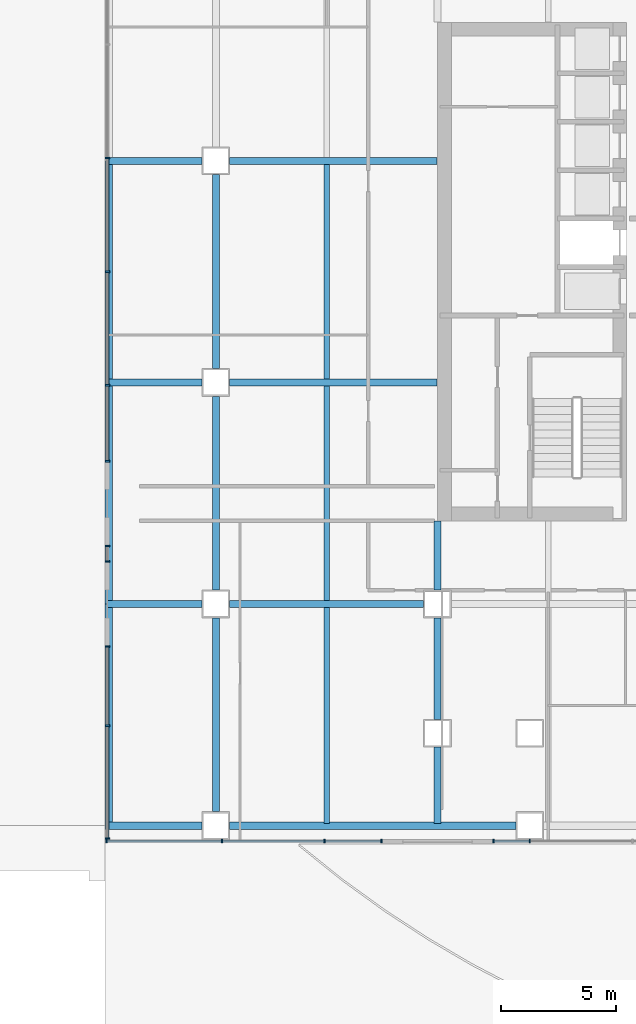
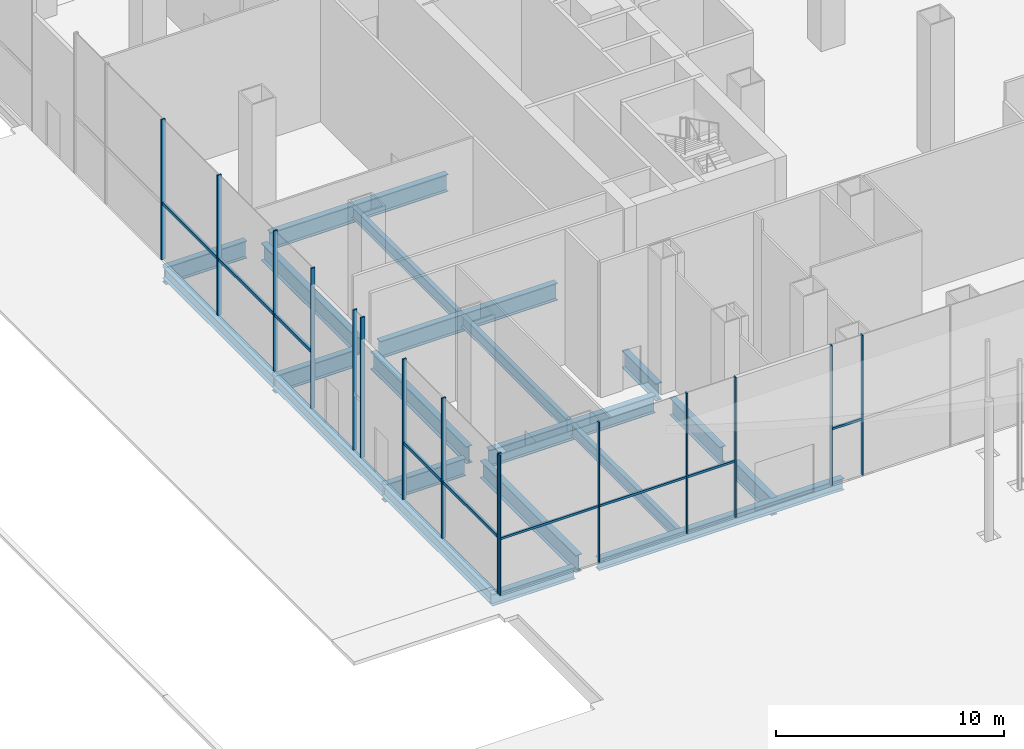
# One storey, part 8 of 36: 24 members, 20 beams, 5 elements without a shape of their own.
"""IFC4 building model written with IfcOpenShell, lengths in metres."""

import ifcopenshell
import ifcopenshell.guid

model = None  # the IFC model being written
_history = None  # IfcOwnerHistory: only IFC2X3 demands one
_inside = {}  # id of a spatial element -> (the spatial element, [elements in it])
_under = {}  # id of a project, library or spatial element -> (it, [spatial elements below it])
_declared = {}  # id of a project -> (the project, [libraries it declares])
_typed = {}  # id of a type object -> (the type object, [elements of that type])
_made_of = {}  # id of a material, layer set ... -> (it, [elements and type objects made of it])


def new_model(schema):
    """Start an empty IFC model of exactly this schema.

    Asked for "IFC4X3", IfcOpenShell would pick the latest addendum, in which some entities
    have other attributes; the version numbers below select the first issue.
    IFC2X3 requires an IfcOwnerHistory on every rooted entity: one is made here for all.
    """
    global model, _history
    if schema == "IFC4X3":
        model = ifcopenshell.file(schema_version=(4, 3, 0, 0))
    else:
        model = ifcopenshell.file(schema=schema)
    _inside.clear()
    _under.clear()
    _declared.clear()
    _typed.clear()
    _made_of.clear()
    _history = None
    if model.schema == "IFC2X3":
        org = make("IfcOrganization", Name="unknown")
        user = make(
            "IfcPersonAndOrganization",
            ThePerson=make("IfcPerson", FamilyName="unknown"),
            TheOrganization=org,
        )
        app = make(
            "IfcApplication",
            ApplicationDeveloper=org,
            Version="unknown",
            ApplicationFullName="unknown",
            ApplicationIdentifier="unknown",
        )
        _history = make(
            "IfcOwnerHistory",
            OwningUser=user,
            OwningApplication=app,
            ChangeAction="ADDED",
            CreationDate=0,
        )
    return model


def make(cls, **values):
    """One entity of the class cls with the attributes given. An attribute that is None is left unset."""
    return model.create_entity(
        cls, **{name: value for name, value in values.items() if value is not None}
    )


def rooted(cls, **values):
    """An entity with a GlobalId (a new one), such as an element, a storey or a relation."""
    return make(cls, GlobalId=ifcopenshell.guid.new(), OwnerHistory=_history, **values)


def si_unit(unit_type, name, prefix=None):
    """IfcSIUnit, for example si_unit("LENGTHUNIT", "METRE", prefix="MILLI")."""
    return make("IfcSIUnit", UnitType=unit_type, Prefix=prefix, Name=name)


def assignment(units):
    """IfcUnitAssignment: the units of a project."""
    return None if units is None else make("IfcUnitAssignment", Units=units)


def point(xyz):
    """IfcCartesianPoint."""
    return None if xyz is None else make("IfcCartesianPoint", Coordinates=xyz)


def direction(xyz):
    """IfcDirection."""
    return None if xyz is None else make("IfcDirection", DirectionRatios=xyz)


def frame(location, z_axis=None, x_axis=None):
    """IfcAxis2Placement3D, a coordinate frame: its origin and axes. An axis left out is left unset."""
    return make(
        "IfcAxis2Placement3D",
        Location=point(location),
        Axis=direction(z_axis),
        RefDirection=direction(x_axis),
    )


def frame_2d(location, x_axis=None):
    """IfcAxis2Placement2D, a coordinate frame in the plane: its origin and x axis."""
    return make(
        "IfcAxis2Placement2D", Location=point(location), RefDirection=direction(x_axis)
    )


def origin():
    """The frame at (0, 0, 0) with its axes left unset."""
    return frame((0.0, 0.0, 0.0))


def origin_2d():
    """The frame at (0, 0) in the plane with its x axis left unset."""
    return frame_2d((0.0, 0.0))


def place(relative_to, where):
    """IfcLocalPlacement: puts the frame where relative to a parent placement (None: the world)."""
    return make(
        "IfcLocalPlacement", PlacementRelTo=relative_to, RelativePlacement=where
    )


def context(
    kind, dimensions, precision=None, world=None, true_north=None, identifier=None
):
    """IfcGeometricRepresentationContext, for example the 3D "Model" context."""
    return make(
        "IfcGeometricRepresentationContext",
        ContextIdentifier=identifier,
        ContextType=kind,
        CoordinateSpaceDimension=dimensions,
        Precision=precision,
        WorldCoordinateSystem=world,
        TrueNorth=true_north,
    )


def subcontext(parent, identifier, kind, view, scale=None):
    """IfcGeometricRepresentationSubContext, for example "Body" below "Model"."""
    return make(
        "IfcGeometricRepresentationSubContext",
        ContextIdentifier=identifier,
        ContextType=kind,
        ParentContext=parent,
        TargetScale=scale,
        TargetView=view,
    )


def project(units=None, contexts=None):
    """IfcProject with its units and contexts."""
    return rooted(
        "IfcProject",
        Name="project",
        RepresentationContexts=contexts,
        UnitsInContext=assignment(units),
    )


def spatial(cls, under=None, at=None, **own):
    """A site, building, storey or space (cls), placed at a placement, below another one or the project."""
    s = rooted(cls, ObjectPlacement=at, **own)
    if under is not None:
        _under.setdefault(under.id(), (under, []))[1].append(s)
    return s


def profile(cls, at=None, kind="AREA", **sizes):
    """A parametric profile (cls). Its sizes go by their IFC names, for example OverallWidth=200.0."""
    return make(cls, ProfileType=kind, Position=at, **sizes)


def rectangle(**sizes):
    """IfcRectangleProfileDef."""
    return profile("IfcRectangleProfileDef", **sizes)


def i_section(**sizes):
    """IfcIShapeProfileDef."""
    return profile("IfcIShapeProfileDef", **sizes)


def extrude(swept, where, along, depth):
    """IfcExtrudedAreaSolid: the profile swept, set in the frame where, extruded along a direction by depth."""
    return make(
        "IfcExtrudedAreaSolid",
        SweptArea=swept,
        Position=where,
        ExtrudedDirection=direction(along),
        Depth=depth,
    )


def shape(context_of_items, identifier, shape_type, items):
    """IfcShapeRepresentation: the items that make up one representation, for example the "Body"."""
    return make(
        "IfcShapeRepresentation",
        ContextOfItems=context_of_items,
        RepresentationIdentifier=identifier,
        RepresentationType=shape_type,
        Items=items,
    )


def material(Name=None, Category=None):
    """IfcMaterial."""
    return make("IfcMaterial", Name=Name, Category=Category)


def material_profile(
    of_material, cross_section, Name=None, Category=None, Priority=None
):
    """IfcMaterialProfile: a cross section and its material."""
    return make(
        "IfcMaterialProfile",
        Name=Name,
        Material=of_material,
        Profile=cross_section,
        Priority=Priority,
        Category=Category,
    )


def profile_set(profiles, Name=None, composite=None):
    """IfcMaterialProfileSet."""
    return make(
        "IfcMaterialProfileSet",
        Name=Name,
        MaterialProfiles=profiles,
        CompositeProfile=composite,
    )


def made_of(thing, what):
    """Note that an element or type object is made of a material, layer set ...; save() writes the relation."""
    if what is not None:
        _made_of.setdefault(what.id(), (what, []))[1].append(thing)
    return thing


def type_object(cls, material=None, **own):
    """A type object (cls), such as IfcWallType, which elements share."""
    return made_of(rooted(cls, **own), material)


def element(
    cls,
    number,
    at=None,
    inside=None,
    cuts=None,
    type_object=None,
    material=None,
    context=None,
    identifier="Body",
    shape_type=None,
    held_by="IfcProductDefinitionShape",
    body=None,
    shapes=None,
    **own,
):
    """One element of the class cls, such as IfcWall. Its Tag is "e" and its number.

    at: its placement. inside: the storey or other place that contains it. cuts: it is an
    opening in that element (IfcRelVoidsElement). A single representation is given by context,
    identifier, shape_type and body (its items); several are given by shapes. held_by: the class
    of the entity that holds the representations. save() writes the other relations.
    """
    e = rooted(cls, Tag="e%d" % number, ObjectPlacement=at, **own)
    if body is not None:
        shapes = [shape(context, identifier, shape_type, body)]
    if shapes is not None:
        e.Representation = make(held_by, Representations=shapes)
    if inside is not None:
        _inside.setdefault(inside.id(), (inside, []))[1].append(e)
    if cuts is not None:
        rooted(
            "IfcRelVoidsElement", RelatingBuildingElement=cuts, RelatedOpeningElement=e
        )
    if type_object is not None:
        _typed.setdefault(type_object.id(), (type_object, []))[1].append(e)
    return made_of(e, material)


def aggregate(whole, parts):
    """IfcRelAggregates: a whole, such as a stair, and the parts it consists of."""
    return rooted("IfcRelAggregates", RelatingObject=whole, RelatedObjects=parts)


def save(model, path):
    """Write the relations noted so far, then the file.

    IfcRelAggregates (storeys below a building ...), IfcRelContainedInSpatialStructure (elements
    in a storey), IfcRelDefinesByType, IfcRelAssociatesMaterial and IfcRelDeclares: one each for
    every whole, place, type object, material and project.
    """
    for whole, parts in _under.values():
        aggregate(whole, parts)
    for where, things in _inside.values():
        rooted(
            "IfcRelContainedInSpatialStructure",
            RelatedElements=things,
            RelatingStructure=where,
        )
    for kind, things in _typed.values():
        rooted("IfcRelDefinesByType", RelatedObjects=things, RelatingType=kind)
    for what, things in _made_of.values():
        rooted("IfcRelAssociatesMaterial", RelatedObjects=things, RelatingMaterial=what)
    for by, libraries in _declared.values():
        rooted("IfcRelDeclares", RelatingContext=by, RelatedDefinitions=libraries)
    model.write(path)


model = new_model("IFC4")

# Units and contexts
model_context = context("Model", 3, precision=1e-05, world=origin(), true_north=direction((0.0, 1.0)))
body_context = subcontext(model_context, "Body", "Model", "MODEL_VIEW")
ifc_project = project(units=[si_unit("LENGTHUNIT", "METRE"), si_unit("AREAUNIT", "SQUARE_METRE"), si_unit("VOLUMEUNIT", "CUBIC_METRE"), si_unit("PLANEANGLEUNIT", "RADIAN"), si_unit("MASSUNIT", "GRAM", prefix="KILO")], contexts=[model_context])

# Site, building, storey
site_placement = place(None, origin())
site = spatial("IfcSite", under=ifc_project, at=site_placement, CompositionType="ELEMENT")
building_placement = place(site_placement, origin())
building = spatial("IfcBuilding", under=site, at=building_placement, Name="Cobrizo Arcos Hotel Tower", CompositionType="ELEMENT")
storey_placement = place(building_placement, origin())
storey = spatial("IfcBuildingStorey", under=building, at=storey_placement, Name="L00", CompositionType="ELEMENT", Elevation=0.0)

# Curtain wall, members
ifc_material_1 = material(Name="Aluminium 6063-T6 anodised bronze", Category="aluminium")
curtain_wall_type_1 = type_object("IfcCurtainWallType", Name="CW-A guest facade", PredefinedType="NOTDEFINED", material=ifc_material_1)
curtain_wall_1_placement = place(storey_placement, origin())
curtain_wall_1 = element("IfcCurtainWall", 1, at=curtain_wall_1_placement, inside=storey, type_object=curtain_wall_type_1, Name="CW-A L00 S face", PredefinedType="NOTDEFINED")
ifc_material_profile_1 = material_profile(ifc_material_1, rectangle(XDim=0.14990234375, YDim=0.06005859375, at=origin_2d()), Name="CW-A mullion 150x60")
ifc_profile_set_1 = profile_set([ifc_material_profile_1], Name="Aluminium 6063-T6 anodised bronze")
member_type_1 = type_object("IfcMemberType", Name="CW-A mullion 150x60", PredefinedType="MULLION", material=ifc_profile_set_1)
member_1_placement = place(storey_placement, frame((-38.344970703125, -24.675048828125, 0.0), z_axis=(0.0, 0.0, 1.0), x_axis=(0.0, -1.0, 0.0)))
member_1 = element("IfcMember", 2, at=member_1_placement, type_object=member_type_1, Name="CW-A mullion 1", PredefinedType="MULLION", context=body_context, shape_type="SweptSolid", body=[
    extrude(rectangle(XDim=0.14990234375, YDim=0.06005859375, at=origin_2d()), origin(), (0.0, 0.0, 1.0), 7.5),
])
member_2_placement = place(storey_placement, frame((-33.333251953125, -24.675048828125, 0.0), z_axis=(0.0, 0.0, 1.0), x_axis=(0.0, -1.0, 0.0)))
member_2 = element("IfcMember", 3, at=member_2_placement, type_object=member_type_1, Name="CW-A mullion 2", PredefinedType="MULLION", context=body_context, shape_type="SweptSolid", body=[
    extrude(rectangle(XDim=0.14990234375, YDim=0.06005859375, at=origin_2d()), origin(), (0.0, 0.0, 1.0), 7.5),
])
member_3_placement = place(storey_placement, frame((-28.888916015625, -24.675048828125, 0.0), z_axis=(0.0, 0.0, 1.0), x_axis=(0.0, -1.0, 0.0)))
member_3 = element("IfcMember", 4, at=member_3_placement, type_object=member_type_1, Name="CW-A mullion 3", PredefinedType="MULLION", context=body_context, shape_type="SweptSolid", body=[
    extrude(rectangle(XDim=0.14990234375, YDim=0.06005859375, at=origin_2d()), origin(), (0.0, 0.0, 1.0), 7.5),
])
member_4_placement = place(storey_placement, frame((-26.429931640625, -24.675048828125, 0.0), z_axis=(0.0, 0.0, 1.0), x_axis=(0.0, -1.0, 0.0)))
member_4 = element("IfcMember", 5, at=member_4_placement, type_object=member_type_1, Name="CW-A mullion 4", PredefinedType="MULLION", context=body_context, shape_type="SweptSolid", body=[
    extrude(rectangle(XDim=0.14990234375, YDim=0.06005859375, at=origin_2d()), origin(), (0.0, 0.0, 1.0), 7.5),
])

curtain_wall_2_placement = place(storey_placement, origin())
curtain_wall_2 = element("IfcCurtainWall", 6, at=curtain_wall_2_placement, inside=storey, type_object=curtain_wall_type_1, Name="CW-A L00 S face", PredefinedType="NOTDEFINED")
member_5_placement = place(storey_placement, frame((-21.570068359375, -24.675048828125, 0.0), z_axis=(0.0, 0.0, 1.0), x_axis=(0.0, -1.0, 0.0)))
member_5 = element("IfcMember", 7, at=member_5_placement, type_object=member_type_1, Name="CW-A mullion 1", PredefinedType="MULLION", context=body_context, shape_type="SweptSolid", body=[
    extrude(rectangle(XDim=0.14990234375, YDim=0.06005859375, at=origin_2d()), origin(), (0.0, 0.0, 1.0), 7.5),
])
member_6_placement = place(storey_placement, frame((-20.0, -24.675048828125, 0.0), z_axis=(0.0, 0.0, 1.0), x_axis=(0.0, -1.0, 0.0)))
member_6 = element("IfcMember", 8, at=member_6_placement, type_object=member_type_1, Name="CW-A mullion 2", PredefinedType="MULLION", context=body_context, shape_type="SweptSolid", body=[
    extrude(rectangle(XDim=0.14990234375, YDim=0.06005859375, at=origin_2d()), origin(), (0.0, 0.0, 1.0), 7.5),
])

# Member
ifc_material_profile_2 = material_profile(ifc_material_1, rectangle(XDim=0.10009765625, YDim=0.1201171875, at=origin_2d()), Name="CW-A transom 120x100")
ifc_profile_set_2 = profile_set([ifc_material_profile_2], Name="Aluminium 6063-T6 anodised bronze")
member_type_2 = type_object("IfcMemberType", Name="CW-A transom 120x100", PredefinedType="USERDEFINED", material=ifc_profile_set_2)
member_7_placement = place(storey_placement, frame((-38.31494140625, -24.675048828125, 3.0), z_axis=(1.0, 0.0, 0.0), x_axis=(0.0, 1.0, 0.0)))
member_7 = element("IfcMember", 9, at=member_7_placement, type_object=member_type_2, Name="CW-A transom 37", ObjectType="TRANSOM", PredefinedType="USERDEFINED", context=body_context, shape_type="SweptSolid", body=[
    extrude(rectangle(XDim=0.10009765625, YDim=0.1201171875, at=origin_2d()), origin(), (0.0, 0.0, 1.0), 4.95166015625),
])

member_8_placement = place(storey_placement, frame((-33.30322265625, -24.675048828125, 3.0), z_axis=(1.0, 0.0, 0.0), x_axis=(0.0, 1.0, 0.0)))
member_8 = element("IfcMember", 10, at=member_8_placement, type_object=member_type_2, Name="CW-A transom 38", ObjectType="TRANSOM", PredefinedType="USERDEFINED", context=body_context, shape_type="SweptSolid", body=[
    extrude(rectangle(XDim=0.10009765625, YDim=0.1201171875, at=origin_2d()), origin(), (0.0, 0.0, 1.0), 4.38427734375),
])

member_9_placement = place(storey_placement, frame((-28.85888671875, -24.675048828125, 3.0), z_axis=(1.0, 0.0, 0.0), x_axis=(0.0, 1.0, 0.0)))
member_9 = element("IfcMember", 11, at=member_9_placement, type_object=member_type_2, Name="CW-A transom 39", ObjectType="TRANSOM", PredefinedType="USERDEFINED", context=body_context, shape_type="SweptSolid", body=[
    extrude(rectangle(XDim=0.10009765625, YDim=0.1201171875, at=origin_2d()), origin(), (0.0, 0.0, 1.0), 2.39892578125),
])

aggregate(curtain_wall_1, [member_1, member_2, member_3, member_4, member_7, member_8, member_9])

member_10_placement = place(storey_placement, frame((-21.5400390625, -24.675048828125, 3.0), z_axis=(1.0, 0.0, 0.0), x_axis=(0.0, 1.0, 0.0)))
member_10 = element("IfcMember", 12, at=member_10_placement, type_object=member_type_2, Name="CW-A transom 40", ObjectType="TRANSOM", PredefinedType="USERDEFINED", context=body_context, shape_type="SweptSolid", body=[
    extrude(rectangle(XDim=0.10009765625, YDim=0.1201171875, at=origin_2d()), origin(), (0.0, 0.0, 1.0), 1.510009765625),
])

aggregate(curtain_wall_2, [member_5, member_6, member_10])

# Curtain wall, members
curtain_wall_type_2 = type_object("IfcCurtainWallType", Name="CW-B podium glazing", PredefinedType="NOTDEFINED", material=ifc_material_1)
curtain_wall_3_placement = place(storey_placement, origin())
curtain_wall_3 = element("IfcCurtainWall", 13, at=curtain_wall_3_placement, inside=storey, type_object=curtain_wall_type_2, Name="CW-B L00 W face", PredefinedType="NOTDEFINED")
ifc_material_profile_3 = material_profile(ifc_material_1, rectangle(XDim=0.199951171875, YDim=0.080078125, at=origin_2d()), Name="CW-B mullion 200x80")
ifc_profile_set_3 = profile_set([ifc_material_profile_3], Name="Aluminium 6063-T6 anodised bronze")
member_type_3 = type_object("IfcMemberType", Name="CW-B mullion 200x80", PredefinedType="MULLION", material=ifc_profile_set_3)
member_11_placement = place(storey_placement, frame((-38.300048828125, 4.919921875, 0.0), z_axis=(0.0, 0.0, 1.0), x_axis=(-1.0, 0.0, 0.0)))
member_11 = element("IfcMember", 14, at=member_11_placement, type_object=member_type_3, Name="CW-B mullion 3", PredefinedType="MULLION", context=body_context, shape_type="SweptSolid", body=[
    extrude(rectangle(XDim=0.199951171875, YDim=0.080078125, at=origin_2d()), origin(), (0.0, 0.0, 1.0), 7.5),
])
member_12_placement = place(storey_placement, frame((-38.300048828125, 0.0, 0.0), z_axis=(0.0, 0.0, 1.0), x_axis=(-1.0, 0.0, 0.0)))
member_12 = element("IfcMember", 15, at=member_12_placement, type_object=member_type_3, Name="CW-B mullion 4", PredefinedType="MULLION", context=body_context, shape_type="SweptSolid", body=[
    extrude(rectangle(XDim=0.199951171875, YDim=0.080078125, at=origin_2d()), origin(), (0.0, 0.0, 1.0), 7.5),
])
member_13_placement = place(storey_placement, frame((-38.300048828125, -4.919921875, 0.0), z_axis=(0.0, 0.0, 1.0), x_axis=(-1.0, 0.0, 0.0)))
member_13 = element("IfcMember", 16, at=member_13_placement, type_object=member_type_3, Name="CW-B mullion 5", PredefinedType="MULLION", context=body_context, shape_type="SweptSolid", body=[
    extrude(rectangle(XDim=0.199951171875, YDim=0.080078125, at=origin_2d()), origin(), (0.0, 0.0, 1.0), 7.5),
])
member_14_placement = place(storey_placement, frame((-38.300048828125, -8.2099609375, 0.0), z_axis=(0.0, 0.0, 1.0), x_axis=(-1.0, 0.0, 0.0)))
member_14 = element("IfcMember", 17, at=member_14_placement, type_object=member_type_3, Name="CW-B mullion 6", PredefinedType="MULLION", context=body_context, shape_type="SweptSolid", body=[
    extrude(rectangle(XDim=0.199951171875, YDim=0.080078125, at=origin_2d()), origin(), (0.0, 0.0, 1.0), 7.5),
])

curtain_wall_4_placement = place(storey_placement, origin())
curtain_wall_4 = element("IfcCurtainWall", 18, at=curtain_wall_4_placement, inside=storey, type_object=curtain_wall_type_2, Name="CW-B L00 W face", PredefinedType="NOTDEFINED")
member_15_placement = place(storey_placement, frame((-38.300048828125, -11.889892578125, 0.0), z_axis=(0.0, 0.0, 1.0), x_axis=(-1.0, 0.0, 0.0)))
member_15 = element("IfcMember", 19, at=member_15_placement, type_object=member_type_3, Name="CW-B mullion 1", PredefinedType="MULLION", context=body_context, shape_type="SweptSolid", body=[
    extrude(rectangle(XDim=0.199951171875, YDim=0.080078125, at=origin_2d()), origin(), (0.0, 0.0, 1.0), 7.5),
])
member_16_placement = place(storey_placement, frame((-38.300048828125, -12.56005859375, 0.0), z_axis=(0.0, 0.0, 1.0), x_axis=(-1.0, 0.0, 0.0)))
member_16 = element("IfcMember", 20, at=member_16_placement, type_object=member_type_3, Name="CW-B mullion 2", PredefinedType="MULLION", context=body_context, shape_type="SweptSolid", body=[
    extrude(rectangle(XDim=0.199951171875, YDim=0.080078125, at=origin_2d()), origin(), (0.0, 0.0, 1.0), 7.5),
])
aggregate(curtain_wall_4, [member_15, member_16])

curtain_wall_5_placement = place(storey_placement, origin())
curtain_wall_5 = element("IfcCurtainWall", 21, at=curtain_wall_5_placement, inside=storey, type_object=curtain_wall_type_2, Name="CW-B L00 W face", PredefinedType="NOTDEFINED")
member_17_placement = place(storey_placement, frame((-38.300048828125, -16.239990234375, 0.0), z_axis=(0.0, 0.0, 1.0), x_axis=(-1.0, 0.0, 0.0)))
member_17 = element("IfcMember", 22, at=member_17_placement, type_object=member_type_3, Name="CW-B mullion 1", PredefinedType="MULLION", context=body_context, shape_type="SweptSolid", body=[
    extrude(rectangle(XDim=0.199951171875, YDim=0.080078125, at=origin_2d()), origin(), (0.0, 0.0, 1.0), 7.5),
])
member_18_placement = place(storey_placement, frame((-38.300048828125, -19.679931640625, 0.0), z_axis=(0.0, 0.0, 1.0), x_axis=(-1.0, 0.0, 0.0)))
member_18 = element("IfcMember", 23, at=member_18_placement, type_object=member_type_3, Name="CW-B mullion 2", PredefinedType="MULLION", context=body_context, shape_type="SweptSolid", body=[
    extrude(rectangle(XDim=0.199951171875, YDim=0.080078125, at=origin_2d()), origin(), (0.0, 0.0, 1.0), 7.5),
])
member_19_placement = place(storey_placement, frame((-38.300048828125, -24.56005859375, 0.0), z_axis=(0.0, 0.0, 1.0), x_axis=(-1.0, 0.0, 0.0)))
member_19 = element("IfcMember", 24, at=member_19_placement, type_object=member_type_3, Name="CW-B mullion 3", PredefinedType="MULLION", context=body_context, shape_type="SweptSolid", body=[
    extrude(rectangle(XDim=0.199951171875, YDim=0.080078125, at=origin_2d()), origin(), (0.0, 0.0, 1.0), 7.5),
])

# Member
ifc_material_profile_4 = material_profile(ifc_material_1, rectangle(XDim=0.1201171875, YDim=0.159912109375, at=origin_2d()), Name="CW-B transom 160x120")
ifc_profile_set_4 = profile_set([ifc_material_profile_4], Name="Aluminium 6063-T6 anodised bronze")
member_type_4 = type_object("IfcMemberType", Name="CW-B transom 160x120", PredefinedType="USERDEFINED", material=ifc_profile_set_4)
member_20_placement = place(storey_placement, frame((-38.300048828125, 4.8798828125, 3.0), z_axis=(0.0, -1.0, 0.0), x_axis=(1.0, 0.0, 0.0)))
member_20 = element("IfcMember", 25, at=member_20_placement, type_object=member_type_4, Name="CW-B transom 31", ObjectType="TRANSOM", PredefinedType="USERDEFINED", context=body_context, shape_type="SweptSolid", body=[
    extrude(rectangle(XDim=0.1201171875, YDim=0.159912109375, at=origin_2d()), origin(), (0.0, 0.0, 1.0), 4.83984375),
])

member_21_placement = place(storey_placement, frame((-38.300048828125, -0.0400390625, 3.0), z_axis=(0.0, -1.0, 0.0), x_axis=(1.0, 0.0, 0.0)))
member_21 = element("IfcMember", 26, at=member_21_placement, type_object=member_type_4, Name="CW-B transom 32", ObjectType="TRANSOM", PredefinedType="USERDEFINED", context=body_context, shape_type="SweptSolid", body=[
    extrude(rectangle(XDim=0.1201171875, YDim=0.159912109375, at=origin_2d()), origin(), (0.0, 0.0, 1.0), 4.83984375),
])

member_22_placement = place(storey_placement, frame((-38.300048828125, -4.9599609375, 3.0), z_axis=(0.0, -1.0, 0.0), x_axis=(1.0, 0.0, 0.0)))
member_22 = element("IfcMember", 27, at=member_22_placement, type_object=member_type_4, Name="CW-B transom 33", ObjectType="TRANSOM", PredefinedType="USERDEFINED", context=body_context, shape_type="SweptSolid", body=[
    extrude(rectangle(XDim=0.1201171875, YDim=0.159912109375, at=origin_2d()), origin(), (0.0, 0.0, 1.0), 3.2099609375),
])

aggregate(curtain_wall_3, [member_11, member_12, member_13, member_14, member_20, member_21, member_22])

member_23_placement = place(storey_placement, frame((-38.300048828125, -16.280029296875, 3.0), z_axis=(0.0, -1.0, 0.0), x_axis=(1.0, 0.0, 0.0)))
member_23 = element("IfcMember", 28, at=member_23_placement, type_object=member_type_4, Name="CW-B transom 35", ObjectType="TRANSOM", PredefinedType="USERDEFINED", context=body_context, shape_type="SweptSolid", body=[
    extrude(rectangle(XDim=0.1201171875, YDim=0.159912109375, at=origin_2d()), origin(), (0.0, 0.0, 1.0), 3.35986328125),
])

member_24_placement = place(storey_placement, frame((-38.300048828125, -19.719970703125, 3.0), z_axis=(0.0, -1.0, 0.0), x_axis=(1.0, 0.0, 0.0)))
member_24 = element("IfcMember", 29, at=member_24_placement, type_object=member_type_4, Name="CW-B transom 36", ObjectType="TRANSOM", PredefinedType="USERDEFINED", context=body_context, shape_type="SweptSolid", body=[
    extrude(rectangle(XDim=0.1201171875, YDim=0.159912109375, at=origin_2d()), origin(), (0.0, 0.0, 1.0), 4.800048828125),
])

aggregate(curtain_wall_5, [member_17, member_18, member_19, member_23, member_24])

# Beams
ifc_material_2 = material(Name="Steel ASTM A992 Grade 50", Category="steel")
ifc_material_profile_5 = material_profile(ifc_material_2, i_section(OverallWidth=0.32763671875, OverallDepth=0.622314453125, WebThickness=0.015380859375, FlangeThickness=0.0244140625, at=origin_2d()), Name="W24X131")
ifc_profile_set_5 = profile_set([ifc_material_profile_5], Name="Steel ASTM A992 Grade 50")
beam_type_1 = type_object("IfcBeamType", Name="W24X131 edge beam", PredefinedType="BEAM", material=ifc_profile_set_5)
beam_1_placement = place(storey_placement, frame((-38.236083984375, 4.800048828125, -0.611083984375), z_axis=(0.0, -1.0, 0.0), x_axis=(1.0, 0.0, 0.0)))
element("IfcBeam", 30, at=beam_1_placement, inside=storey, type_object=beam_type_1, Name="Edge beam EB1, L00, no. 010", PredefinedType="BEAM", context=body_context, shape_type="SweptSolid", body=[
    extrude(i_section(OverallWidth=0.32763671875, OverallDepth=0.622314453125, WebThickness=0.015380859375, FlangeThickness=0.0244140625, at=origin_2d()), origin(), (0.0, 0.0, 1.0), 9.60009765625),
])
beam_2_placement = place(storey_placement, frame((-38.236083984375, -4.800048828125, -0.611083984375), z_axis=(0.0, -1.0, 0.0), x_axis=(1.0, 0.0, 0.0)))
element("IfcBeam", 31, at=beam_2_placement, inside=storey, type_object=beam_type_1, Name="Edge beam EB1, L00, no. 011", PredefinedType="BEAM", context=body_context, shape_type="SweptSolid", body=[
    extrude(i_section(OverallWidth=0.32763671875, OverallDepth=0.622314453125, WebThickness=0.015380859375, FlangeThickness=0.0244140625, at=origin_2d()), origin(), (0.0, 0.0, 1.0), 9.599853515625),
])
beam_3_placement = place(storey_placement, frame((-38.236083984375, -14.39990234375, -0.611083984375), z_axis=(0.0, -1.0, 0.0), x_axis=(1.0, 0.0, 0.0)))
element("IfcBeam", 32, at=beam_3_placement, inside=storey, type_object=beam_type_1, Name="Edge beam EB1, L00, no. 012", PredefinedType="BEAM", context=body_context, shape_type="SweptSolid", body=[
    extrude(i_section(OverallWidth=0.32763671875, OverallDepth=0.622314453125, WebThickness=0.015380859375, FlangeThickness=0.0244140625, at=origin_2d()), origin(), (0.0, 0.0, 1.0), 9.60009765625),
])
beam_4_placement = place(storey_placement, frame((-38.39990234375, -24.0, -0.611083984375), z_axis=(1.0, 0.0, 0.0), x_axis=(0.0, 1.0, 0.0)))
element("IfcBeam", 33, at=beam_4_placement, inside=storey, type_object=beam_type_1, Name="Edge beam EB1, L00, no. 013", PredefinedType="BEAM", context=body_context, shape_type="SweptSolid", body=[
    extrude(i_section(OverallWidth=0.32763671875, OverallDepth=0.622314453125, WebThickness=0.015380859375, FlangeThickness=0.0244140625, at=origin_2d()), origin(), (0.0, 0.0, 1.0), 4.199951171875),
])
ifc_material_profile_6 = material_profile(ifc_material_2, i_section(OverallWidth=0.32763671875, OverallDepth=0.622314453125, WebThickness=0.015380859375, FlangeThickness=0.0244140625, at=origin_2d()), Name="W24X131")
ifc_profile_set_6 = profile_set([ifc_material_profile_6], Name="Steel ASTM A992 Grade 50")
beam_type_2 = type_object("IfcBeamType", Name="W24X131 spandrel", PredefinedType="SPANDREL", material=ifc_profile_set_6)
beam_5_placement = place(storey_placement, frame((-33.0, -24.0, -0.611083984375), z_axis=(1.0, 0.0, 0.0), x_axis=(0.0, 1.0, 0.0)))
element("IfcBeam", 34, at=beam_5_placement, inside=storey, type_object=beam_type_2, Name="Spandrel beam W24X131, L00, no. 008", PredefinedType="SPANDREL", context=body_context, shape_type="SweptSolid", body=[
    extrude(i_section(OverallWidth=0.32763671875, OverallDepth=0.622314453125, WebThickness=0.015380859375, FlangeThickness=0.0244140625, at=origin_2d()), origin(), (0.0, 0.0, 1.0), 12.39990234375),
])
ifc_material_profile_7 = material_profile(ifc_material_2, i_section(OverallWidth=0.23046875, OverallDepth=0.6171875, WebThickness=0.01318359375, FlangeThickness=0.022216796875, at=origin_2d()), Name="W24X94")
ifc_profile_set_7 = profile_set([ifc_material_profile_7], Name="Steel ASTM A992 Grade 50")
beam_type_3 = type_object("IfcBeamType", Name="W24X94 podium joist", PredefinedType="JOIST", material=ifc_profile_set_7)
beam_6_placement = place(storey_placement, frame((-28.800048828125, -23.909912109375, -0.608642578125), z_axis=(0.0, 1.0, 0.0), x_axis=(-1.0, 0.0, 0.0)))
element("IfcBeam", 35, at=beam_6_placement, inside=storey, type_object=beam_type_3, Name="Podium joist PJ1, L00, no. 001", PredefinedType="JOIST", context=body_context, shape_type="SweptSolid", body=[
    extrude(i_section(OverallWidth=0.23046875, OverallDepth=0.6171875, WebThickness=0.01318359375, FlangeThickness=0.022216796875, at=origin_2d()), origin(), (0.0, 0.0, 1.0), 9.356201171875),
])
beam_7_placement = place(storey_placement, frame((-28.800048828125, -14.246337890625, -0.608642578125), z_axis=(0.0, 1.0, 0.0), x_axis=(-1.0, 0.0, 0.0)))
element("IfcBeam", 36, at=beam_7_placement, inside=storey, type_object=beam_type_3, Name="Podium joist PJ1, L00, no. 002", PredefinedType="JOIST", context=body_context, shape_type="SweptSolid", body=[
    extrude(i_section(OverallWidth=0.23046875, OverallDepth=0.6171875, WebThickness=0.01318359375, FlangeThickness=0.022216796875, at=origin_2d()), origin(), (0.0, 0.0, 1.0), 9.292724609375),
])
beam_8_placement = place(storey_placement, frame((-28.800048828125, -4.646240234375, -0.608642578125), z_axis=(0.0, 1.0, 0.0), x_axis=(-1.0, 0.0, 0.0)))
element("IfcBeam", 37, at=beam_8_placement, inside=storey, type_object=beam_type_3, Name="Podium joist PJ1, L00, no. 003", PredefinedType="JOIST", context=body_context, shape_type="SweptSolid", body=[
    extrude(i_section(OverallWidth=0.23046875, OverallDepth=0.6171875, WebThickness=0.01318359375, FlangeThickness=0.022216796875, at=origin_2d()), origin(), (0.0, 0.0, 1.0), 9.29248046875),
])
ifc_material_profile_8 = material_profile(ifc_material_2, i_section(OverallWidth=0.307373046875, OverallDepth=0.927001953125, WebThickness=0.01953125, FlangeThickness=0.031982421875, at=origin_2d()), Name="W36X194")
ifc_profile_set_8 = profile_set([ifc_material_profile_8], Name="Steel ASTM A992 Grade 50")
beam_type_4 = type_object("IfcBeamType", Name="W36X194 podium girder", PredefinedType="BEAM", material=ifc_profile_set_8)
beam_9_placement = place(storey_placement, frame((-38.31005859375, -14.39990234375, -0.763427734375), z_axis=(1.0, 0.0, 0.0), x_axis=(0.0, 1.0, 0.0)))
element("IfcBeam", 38, at=beam_9_placement, inside=storey, type_object=beam_type_4, Name="Podium girder PG1, L00, no. 001", PredefinedType="BEAM", context=body_context, shape_type="SweptSolid", body=[
    extrude(i_section(OverallWidth=0.307373046875, OverallDepth=0.927001953125, WebThickness=0.01953125, FlangeThickness=0.031982421875, at=origin_2d()), origin(), (0.0, 0.0, 1.0), 4.110107421875),
])
beam_10_placement = place(storey_placement, frame((-33.0, -14.39990234375, -0.763427734375), z_axis=(1.0, 0.0, 0.0), x_axis=(0.0, 1.0, 0.0)))
element("IfcBeam", 39, at=beam_10_placement, inside=storey, type_object=beam_type_4, Name="Podium girder PG1, L00, no. 002", PredefinedType="BEAM", context=body_context, shape_type="SweptSolid", body=[
    extrude(i_section(OverallWidth=0.307373046875, OverallDepth=0.927001953125, WebThickness=0.01953125, FlangeThickness=0.031982421875, at=origin_2d()), origin(), (0.0, 0.0, 1.0), 8.39990234375),
])
beam_11_placement = place(storey_placement, frame((-38.31005859375, -4.800048828125, -0.763427734375), z_axis=(1.0, 0.0, 0.0), x_axis=(0.0, 1.0, 0.0)))
element("IfcBeam", 40, at=beam_11_placement, inside=storey, type_object=beam_type_4, Name="Podium girder PG1, L00, no. 010", PredefinedType="BEAM", context=body_context, shape_type="SweptSolid", body=[
    extrude(i_section(OverallWidth=0.307373046875, OverallDepth=0.927001953125, WebThickness=0.01953125, FlangeThickness=0.031982421875, at=origin_2d()), origin(), (0.0, 0.0, 1.0), 4.110107421875),
])
beam_12_placement = place(storey_placement, frame((-33.0, -4.800048828125, -0.763427734375), z_axis=(1.0, 0.0, 0.0), x_axis=(0.0, 1.0, 0.0)))
element("IfcBeam", 41, at=beam_12_placement, inside=storey, type_object=beam_type_4, Name="Podium girder PG1, L00, no. 011", PredefinedType="BEAM", context=body_context, shape_type="SweptSolid", body=[
    extrude(i_section(OverallWidth=0.307373046875, OverallDepth=0.927001953125, WebThickness=0.01953125, FlangeThickness=0.031982421875, at=origin_2d()), origin(), (0.0, 0.0, 1.0), 8.989990234375),
])
beam_13_placement = place(storey_placement, frame((-38.31005859375, 4.800048828125, -0.763427734375), z_axis=(1.0, 0.0, 0.0), x_axis=(0.0, 1.0, 0.0)))
element("IfcBeam", 42, at=beam_13_placement, inside=storey, type_object=beam_type_4, Name="Podium girder PG1, L00, no. 018", PredefinedType="BEAM", context=body_context, shape_type="SweptSolid", body=[
    extrude(i_section(OverallWidth=0.307373046875, OverallDepth=0.927001953125, WebThickness=0.01953125, FlangeThickness=0.031982421875, at=origin_2d()), origin(), (0.0, 0.0, 1.0), 4.110107421875),
])
beam_14_placement = place(storey_placement, frame((-33.0, 4.800048828125, -0.763427734375), z_axis=(1.0, 0.0, 0.0), x_axis=(0.0, 1.0, 0.0)))
element("IfcBeam", 43, at=beam_14_placement, inside=storey, type_object=beam_type_4, Name="Podium girder PG1, L00, no. 019", PredefinedType="BEAM", context=body_context, shape_type="SweptSolid", body=[
    extrude(i_section(OverallWidth=0.307373046875, OverallDepth=0.927001953125, WebThickness=0.01953125, FlangeThickness=0.031982421875, at=origin_2d()), origin(), (0.0, 0.0, 1.0), 8.989990234375),
])
beam_15_placement = place(storey_placement, frame((-33.60009765625, -23.39990234375, -0.763427734375), z_axis=(0.0, 1.0, 0.0), x_axis=(-1.0, 0.0, 0.0)))
element("IfcBeam", 44, at=beam_15_placement, inside=storey, type_object=beam_type_4, Name="Podium girder PG1, L00, no. 035", PredefinedType="BEAM", context=body_context, shape_type="SweptSolid", body=[
    extrude(i_section(OverallWidth=0.307373046875, OverallDepth=0.927001953125, WebThickness=0.01953125, FlangeThickness=0.031982421875, at=origin_2d()), origin(), (0.0, 0.0, 1.0), 8.39990234375),
])
beam_16_placement = place(storey_placement, frame((-33.60009765625, -13.800048828125, -0.763427734375), z_axis=(0.0, 1.0, 0.0), x_axis=(-1.0, 0.0, 0.0)))
element("IfcBeam", 45, at=beam_16_placement, inside=storey, type_object=beam_type_4, Name="Podium girder PG1, L00, no. 036", PredefinedType="BEAM", context=body_context, shape_type="SweptSolid", body=[
    extrude(i_section(OverallWidth=0.307373046875, OverallDepth=0.927001953125, WebThickness=0.01953125, FlangeThickness=0.031982421875, at=origin_2d()), origin(), (0.0, 0.0, 1.0), 8.400146484375),
])
beam_17_placement = place(storey_placement, frame((-33.60009765625, -4.199951171875, -0.763427734375), z_axis=(0.0, 1.0, 0.0), x_axis=(-1.0, 0.0, 0.0)))
element("IfcBeam", 46, at=beam_17_placement, inside=storey, type_object=beam_type_4, Name="Podium girder PG1, L00, no. 037", PredefinedType="BEAM", context=body_context, shape_type="SweptSolid", body=[
    extrude(i_section(OverallWidth=0.307373046875, OverallDepth=0.927001953125, WebThickness=0.01953125, FlangeThickness=0.031982421875, at=origin_2d()), origin(), (0.0, 0.0, 1.0), 8.39990234375),
])
beam_18_placement = place(storey_placement, frame((-24.0, -23.909912109375, -0.763427734375), z_axis=(0.0, 1.0, 0.0), x_axis=(-1.0, 0.0, 0.0)))
element("IfcBeam", 47, at=beam_18_placement, inside=storey, type_object=beam_type_4, Name="Podium girder PG1, L00, no. 040", PredefinedType="BEAM", context=body_context, shape_type="SweptSolid", body=[
    extrude(i_section(OverallWidth=0.307373046875, OverallDepth=0.927001953125, WebThickness=0.01953125, FlangeThickness=0.031982421875, at=origin_2d()), origin(), (0.0, 0.0, 1.0), 3.309814453125),
])
beam_19_placement = place(storey_placement, frame((-24.0, -19.39990234375, -0.763427734375), z_axis=(0.0, 1.0, 0.0), x_axis=(-1.0, 0.0, 0.0)))
element("IfcBeam", 48, at=beam_19_placement, inside=storey, type_object=beam_type_4, Name="Podium girder PG1, L00, no. 041", PredefinedType="BEAM", context=body_context, shape_type="SweptSolid", body=[
    extrude(i_section(OverallWidth=0.307373046875, OverallDepth=0.927001953125, WebThickness=0.01953125, FlangeThickness=0.031982421875, at=origin_2d()), origin(), (0.0, 0.0, 1.0), 4.39990234375),
])
beam_20_placement = place(storey_placement, frame((-24.0, -13.800048828125, -0.763427734375), z_axis=(0.0, 1.0, 0.0), x_axis=(-1.0, 0.0, 0.0)))
element("IfcBeam", 49, at=beam_20_placement, inside=storey, type_object=beam_type_4, Name="Podium girder PG1, L00, no. 042", PredefinedType="BEAM", context=body_context, shape_type="SweptSolid", body=[
    extrude(i_section(OverallWidth=0.307373046875, OverallDepth=0.927001953125, WebThickness=0.01953125, FlangeThickness=0.031982421875, at=origin_2d()), origin(), (0.0, 0.0, 1.0), 2.989990234375),
])

save(model, "model.ifc")
